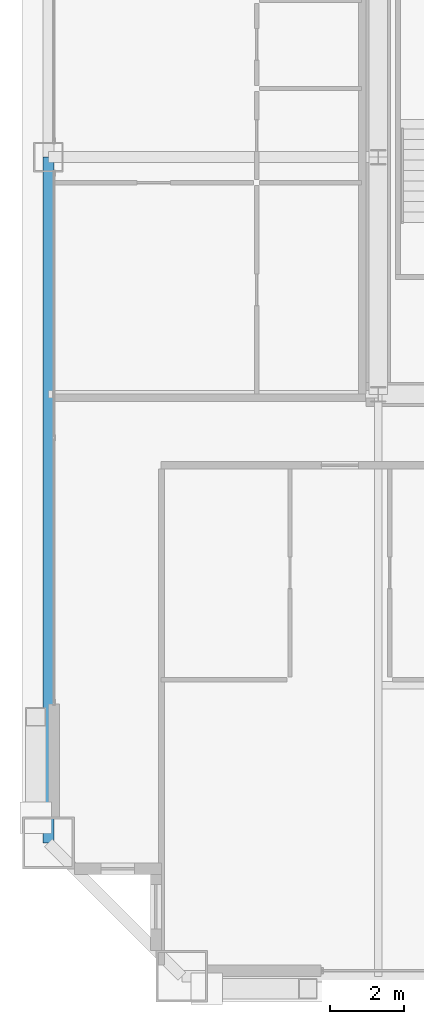
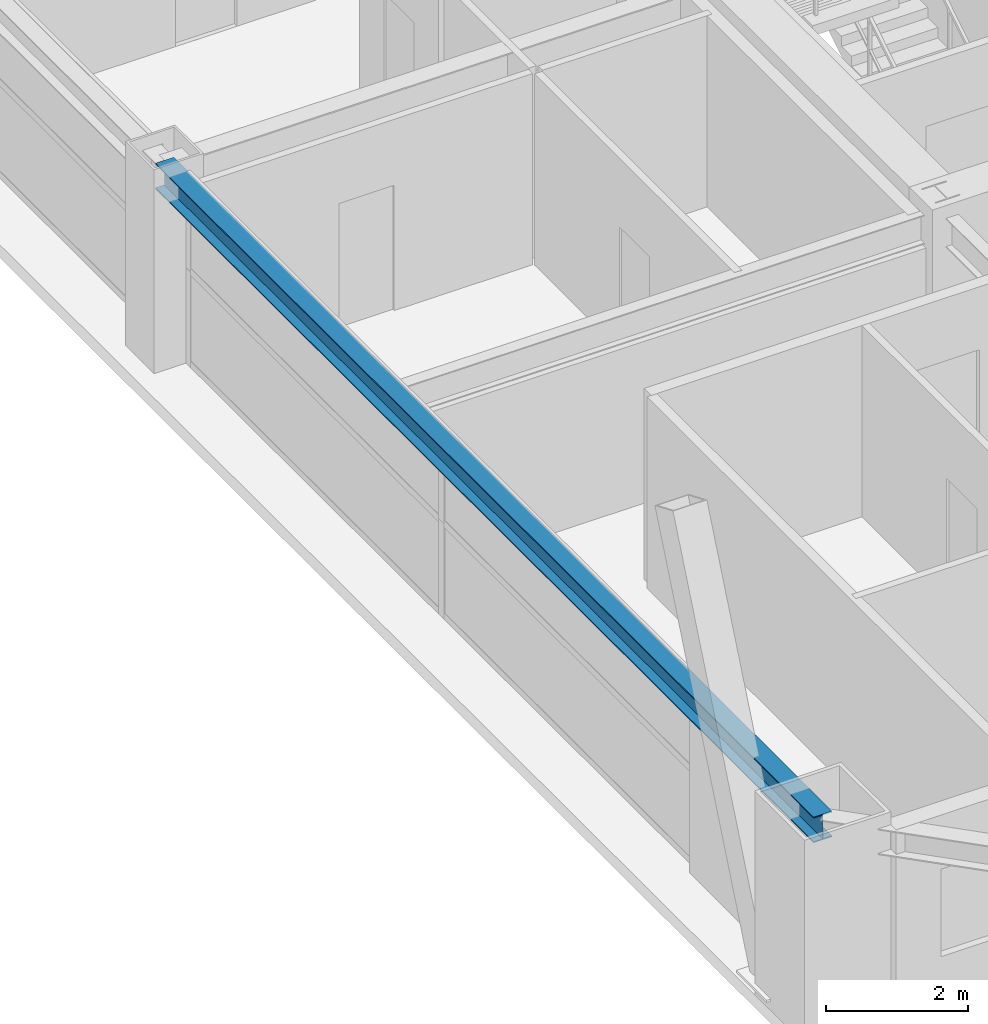
# One storey, part 8 of 42: 1 beam.
"""IFC4 building model written with IfcOpenShell, lengths in metres."""

from ifc_helpers import new_model, si_unit, direction, frame, origin, origin_2d, place, context, subcontext, project, spatial, i_section, extrude, source, transform, mapped, material, material_profile, profile_set, type_object, element, save


model = new_model("IFC4")

# Units and contexts
model_context = context("Model", 3, precision=1e-05, world=origin(), true_north=direction((0.0, 1.0)))
body_context = subcontext(model_context, "Body", "Model", "MODEL_VIEW")
ifc_project = project(units=[si_unit("LENGTHUNIT", "METRE"), si_unit("AREAUNIT", "SQUARE_METRE"), si_unit("VOLUMEUNIT", "CUBIC_METRE"), si_unit("PLANEANGLEUNIT", "RADIAN"), si_unit("MASSUNIT", "GRAM", prefix="KILO"), si_unit("THERMODYNAMICTEMPERATUREUNIT", "KELVIN"), si_unit("POWERUNIT", "WATT")], contexts=[model_context])

# Site, building, storey
site_placement = place(None, origin())
site = spatial("IfcSite", under=ifc_project, at=site_placement, CompositionType="ELEMENT")
building_placement = place(site_placement, origin())
building = spatial("IfcBuilding", under=site, at=building_placement, Name="Yuzanri Waterfront Tower", CompositionType="ELEMENT")
storey_placement = place(building_placement, frame((0.0, 0.0, 184.5)))
storey = spatial("IfcBuildingStorey", under=building, at=storey_placement, Name="L48", CompositionType="ELEMENT", Elevation=184.5)

# Beam
ifc_material = material(Name="Steel Q355B", Category="steel")
ifc_material_profile = material_profile(ifc_material, i_section(OverallWidth=0.300048828125, OverallDepth=0.43994140625, WebThickness=0.010986328125, FlangeThickness=0.01806640625, at=origin_2d()), Name="HM 440x300x11x18")
ifc_profile_set = profile_set([ifc_material_profile], Name="Steel Q355B")
beam_type = type_object("IfcBeamType", Name="Perimeter Spandrel Q355B HM 440x300", PredefinedType="SPANDREL", material=ifc_profile_set)
shared_shape = source(origin(), body_context, "Body", "SweptSolid", [
    extrude(i_section(OverallWidth=0.300048828125, OverallDepth=0.43994140625, WebThickness=0.010986328125, FlangeThickness=0.01806640625, at=origin_2d()), origin(), (0.0, 0.0, 1.0), 18.5),
])
beam_placement = place(storey_placement, frame((14.89990234375, 25.800048828125, 3.06005859375), z_axis=(0.0, -1.0, 0.0), x_axis=(1.0, 0.0, 0.0)))
element("IfcBeam", 1, at=beam_placement, inside=storey, type_object=beam_type, Name="L48 Perimeter Spandrel W2-W1", PredefinedType="SPANDREL", context=body_context, shape_type="MappedRepresentation", body=[
    mapped(shared_shape, transform((0.0, 0.0, 0.0), scale=1.0)),
])

save(model, "model.ifc")
